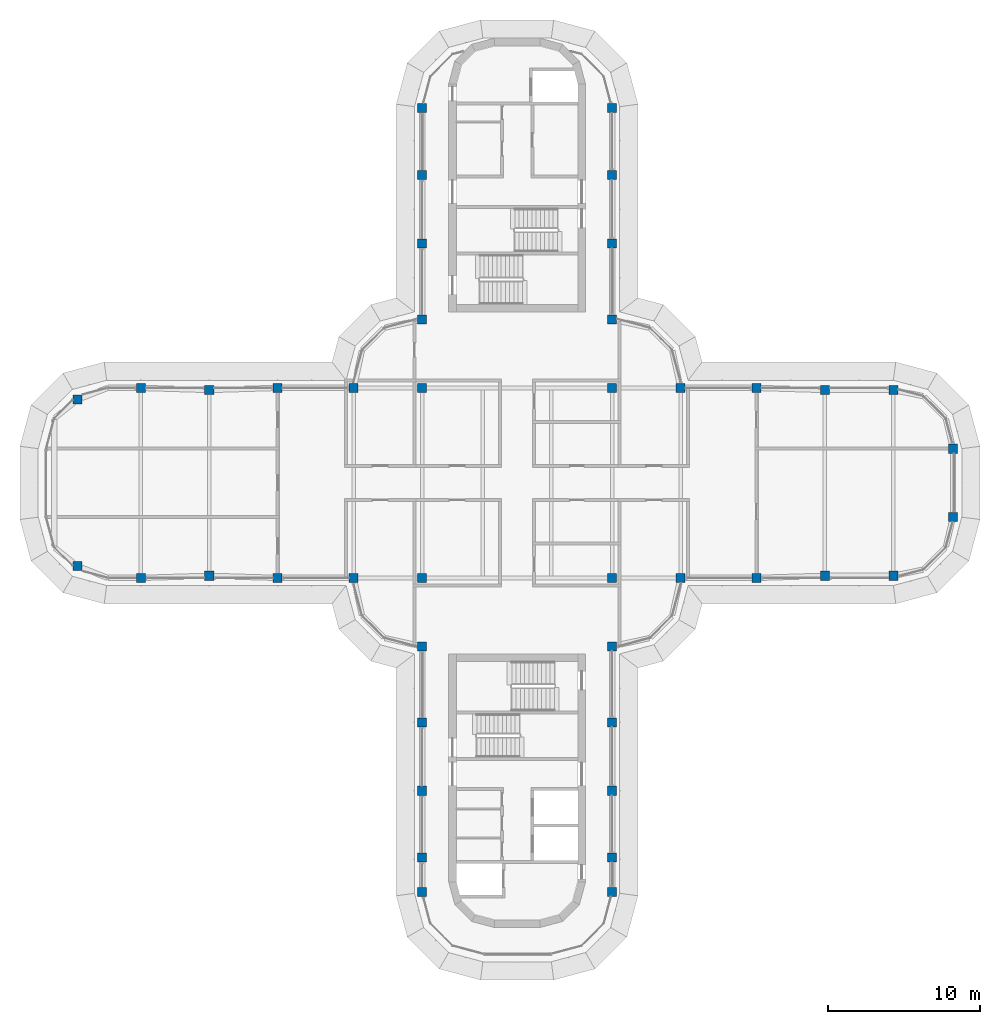
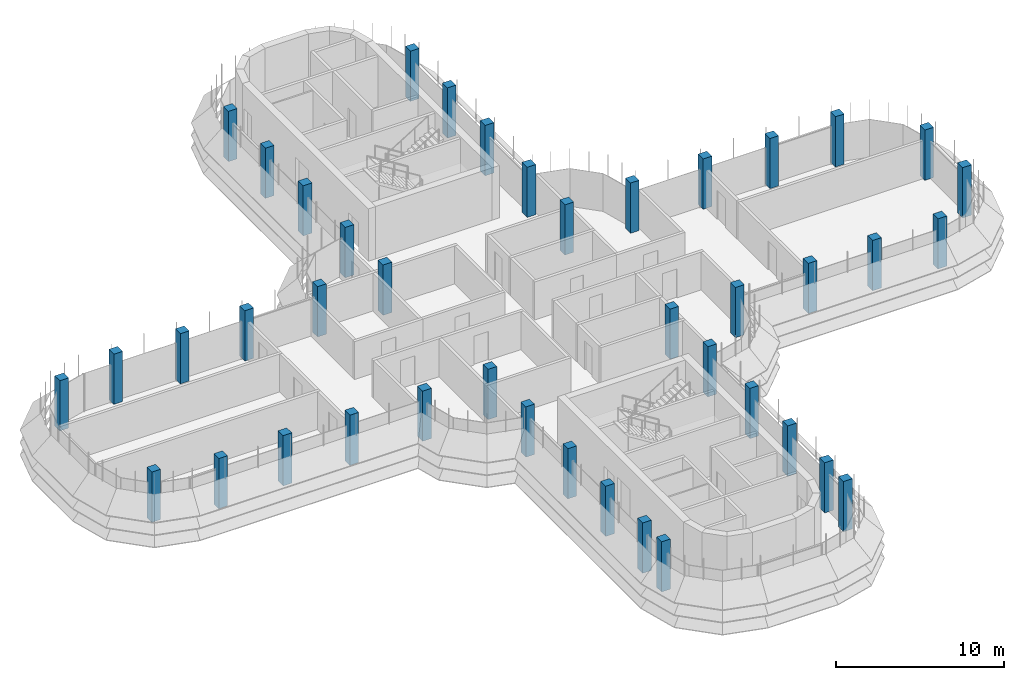
# One storey, part 1 of 19: 42 columns.
"""IFC4 building model written with IfcOpenShell, lengths in metres."""

from ifc_helpers import new_model, si_unit, direction, frame, origin, origin_2d, place, context, subcontext, project, spatial, rectangle, extrude, material, material_profile, profile_set, type_object, element, save


model = new_model("IFC4")

# Units and contexts
model_context = context("Model", 3, precision=1e-05, world=origin(), true_north=direction((0.0, 1.0)))
body_context = subcontext(model_context, "Body", "Model", "MODEL_VIEW")
ifc_project = project(units=[si_unit("LENGTHUNIT", "METRE"), si_unit("AREAUNIT", "SQUARE_METRE"), si_unit("VOLUMEUNIT", "CUBIC_METRE"), si_unit("PLANEANGLEUNIT", "RADIAN"), si_unit("MASSUNIT", "GRAM", prefix="KILO")], contexts=[model_context])

# Site, building, storey
site_placement = place(None, origin())
site = spatial("IfcSite", under=ifc_project, at=site_placement, CompositionType="ELEMENT")
building_placement = place(site_placement, origin())
building = spatial("IfcBuilding", under=site, at=building_placement, Name="Zarbagh Exchange Tower", CompositionType="ELEMENT")
storey_placement = place(building_placement, frame((0.0, 0.0, 272.60009765625)))
storey = spatial("IfcBuildingStorey", under=building, at=storey_placement, Name="L67", CompositionType="ELEMENT", Elevation=272.60009765625)

# Columns
ifc_material = material(Name="Concrete C40/50", Category="concrete")
ifc_material_profile = material_profile(ifc_material, rectangle(XDim=0.60009765625, YDim=0.60009765625, at=origin_2d()), Name="RC column 600 x 600 C40/50")
ifc_profile_set = profile_set([ifc_material_profile], Name="Concrete C40/50")
column_type = type_object("IfcColumnType", Name="RC column 600 x 600 C40/50", PredefinedType="COLUMN", material=ifc_profile_set)
for number, where, z_axis, x_axis, name in (
    (1, (-28.907958984375, -5.47509765625, 0.0), (0.0, 0.0, 1.0), (1.0, 0.0, 0.0), "C6 11/R"),
    (2, (-28.907958984375, 5.47509765625, 0.0), (0.0, 0.0, 1.0), (1.0, 0.0, 0.0), "C6 11/U"),
    (3, (-24.75, -6.25, 0.0), (0.0, 0.0, 1.0), (1.0, 0.0, 0.0), "C6 12/R"),
    (4, (-24.75, 6.25, 0.0), (0.0, 0.0, 1.0), (1.0, 0.0, 0.0), "C6 12/U"),
    (5, (-20.25, -6.110107421875, 0.0), (0.0, 0.0, 1.0), (1.0, 0.0, 0.0), "C6 13/R"),
    (6, (-20.25, 6.110107421875, 0.0), (0.0, 0.0, 1.0), (1.0, 0.0, 0.0), "C6 13/U"),
    (7, (-15.75, -6.25, 0.0), (0.0, 0.0, 1.0), (1.0, 0.0, 0.0), "C6 14/R"),
    (8, (-15.75, 6.25, 0.0), (0.0, 0.0, 1.0), (1.0, 0.0, 0.0), "C6 14/U"),
    (9, (-10.75, -6.25, 0.0), (0.0, 0.0, 1.0), (1.0, 0.0, 0.0), "C6 15/R"),
    (10, (-10.75, 6.25, 0.0), (0.0, 0.0, 1.0), (1.0, 0.0, 0.0), "C6 15/U"),
    (11, (-6.25, -26.89990234375, 0.0), (0.0, 0.0, 1.0), (1.0, 0.0, 0.0), "C6 16/L"),
    (12, (-6.25, -24.64990234375, 0.0), (0.0, 0.0, 1.0), (1.0, 0.0, 0.0), "C6 16/M"),
    (13, (-6.25, -20.25, 0.0), (0.0, 0.0, 1.0), (1.0, 0.0, 0.0), "C6 16/N"),
    (14, (-6.25, -15.75, 0.0), (0.0, 0.0, 1.0), (1.0, 0.0, 0.0), "C6 16/P"),
    (15, (-6.25, -10.75, 0.0), (0.0, 0.0, 1.0), (1.0, 0.0, 0.0), "C6 16/Q"),
    (16, (-6.25, -6.25, 0.0), (0.0, 0.0, 1.0), (1.0, 0.0, 0.0), "C6 16/R"),
    (17, (-6.25, 6.25, 0.0), (0.0, 0.0, 1.0), (1.0, 0.0, 0.0), "C6 16/U"),
    (18, (-6.25, 10.75, 0.0), (0.0, 0.0, 1.0), (1.0, 0.0, 0.0), "C6 16/V"),
    (19, (-6.25, 15.75, 0.0), (0.0, 0.0, 1.0), (1.0, 0.0, 0.0), "C6 16/W"),
    (20, (-6.25, 20.25, 0.0), (0.0, 0.0, 1.0), (1.0, 0.0, 0.0), "C6 16/X"),
    (21, (-6.25, 24.64990234375, 0.0), (0.0, 0.0, 1.0), (1.0, 0.0, 0.0), "C6 16/Y"),
    (22, (6.25, -26.89990234375, 0.0), (0.0, 0.0, 1.0), (1.0, 0.0, 0.0), "C6 19/L"),
    (23, (6.25, -24.64990234375, 0.0), (0.0, 0.0, 1.0), (1.0, 0.0, 0.0), "C6 19/M"),
    (24, (6.25, -20.25, 0.0), (0.0, 0.0, 1.0), (1.0, 0.0, 0.0), "C6 19/N"),
    (25, (6.25, -15.75, 0.0), (0.0, 0.0, 1.0), (1.0, 0.0, 0.0), "C6 19/P"),
    (26, (6.25, -10.75, 0.0), (0.0, 0.0, 1.0), (1.0, 0.0, 0.0), "C6 19/Q"),
    (27, (6.25, -6.25, 0.0), (0.0, 0.0, 1.0), (1.0, 0.0, 0.0), "C6 19/R"),
    (28, (6.25, 6.25, 0.0), (0.0, 0.0, 1.0), (1.0, 0.0, 0.0), "C6 19/U"),
    (29, (6.25, 10.75, 0.0), (0.0, 0.0, 1.0), (1.0, 0.0, 0.0), "C6 19/V"),
    (30, (6.25, 15.75, 0.0), (0.0, 0.0, 1.0), (1.0, 0.0, 0.0), "C6 19/W"),
    (31, (6.25, 20.25, 0.0), (0.0, 0.0, 1.0), (1.0, 0.0, 0.0), "C6 19/X"),
    (32, (6.25, 24.64990234375, 0.0), (0.0, 0.0, 1.0), (1.0, 0.0, 0.0), "C6 19/Y"),
    (33, (10.75, -6.25, 0.0), (0.0, 0.0, 1.0), (1.0, 0.0, 0.0), "C6 20/R"),
    (34, (10.75, 6.25, 0.0), (0.0, 0.0, 1.0), (1.0, 0.0, 0.0), "C6 20/U"),
    (35, (15.75, -6.25, 0.0), (0.0, 0.0, 1.0), (1.0, 0.0, 0.0), "C6 21/R"),
    (36, (15.75, 6.25, 0.0), (0.0, 0.0, 1.0), (1.0, 0.0, 0.0), "C6 21/U"),
    (37, (20.25, -6.110107421875, 0.0), (0.0, 0.0, 1.0), (1.0, 0.0, 0.0), "C6 22/R"),
    (38, (20.25, 6.110107421875, 0.0), (0.0, 0.0, 1.0), (1.0, 0.0, 0.0), "C6 22/U"),
    (39, (24.75, -6.110107421875, 0.0), (0.0, 0.0, 1.0), (1.0, 0.0, 0.0), "C6 23/R"),
    (40, (24.75, 6.110107421875, 0.0), (0.0, 0.0, 1.0), (1.0, 0.0, 0.0), "C6 23/U"),
    (41, (28.669921875, -2.25, 0.0), (0.0, 0.0, 1.0), (1.0, 0.0, 0.0), "C6 24/S"),
    (42, (28.669921875, 2.25, 0.0), (0.0, 0.0, 1.0), (1.0, 0.0, 0.0), "C6 24/T"),
):
    element("IfcColumn", number, at=place(storey_placement, frame(where, z_axis=z_axis, x_axis=x_axis)), inside=storey, type_object=column_type, Name=name, PredefinedType="COLUMN", context=body_context, shape_type="SweptSolid", body=[
        extrude(rectangle(XDim=0.60009765625, YDim=0.60009765625, at=origin_2d()), origin(), (0.0, 0.0, 1.0), 3.64990234375),
    ])

save(model, "model.ifc")
